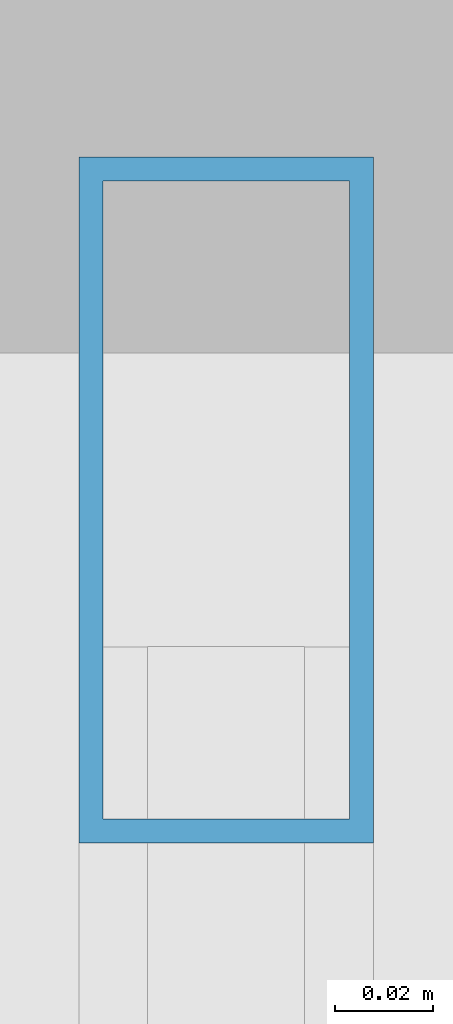
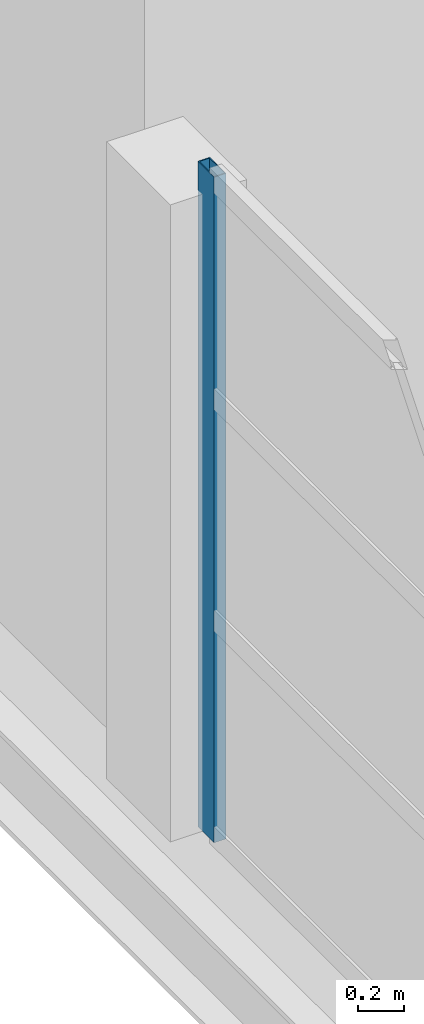
# One storey, part 35 of 158: 1 member, 1 element without a shape of its own.
"""IFC4 building model written with IfcOpenShell, lengths in metres."""

import ifcopenshell
import ifcopenshell.guid

model = None  # the IFC model being written
_history = None  # IfcOwnerHistory: only IFC2X3 demands one
_inside = {}  # id of a spatial element -> (the spatial element, [elements in it])
_under = {}  # id of a project, library or spatial element -> (it, [spatial elements below it])
_declared = {}  # id of a project -> (the project, [libraries it declares])
_typed = {}  # id of a type object -> (the type object, [elements of that type])
_made_of = {}  # id of a material, layer set ... -> (it, [elements and type objects made of it])


def new_model(schema):
    """Start an empty IFC model of exactly this schema.

    Asked for "IFC4X3", IfcOpenShell would pick the latest addendum, in which some entities
    have other attributes; the version numbers below select the first issue.
    IFC2X3 requires an IfcOwnerHistory on every rooted entity: one is made here for all.
    """
    global model, _history
    if schema == "IFC4X3":
        model = ifcopenshell.file(schema_version=(4, 3, 0, 0))
    else:
        model = ifcopenshell.file(schema=schema)
    _inside.clear()
    _under.clear()
    _declared.clear()
    _typed.clear()
    _made_of.clear()
    _history = None
    if model.schema == "IFC2X3":
        org = make("IfcOrganization", Name="unknown")
        user = make(
            "IfcPersonAndOrganization",
            ThePerson=make("IfcPerson", FamilyName="unknown"),
            TheOrganization=org,
        )
        app = make(
            "IfcApplication",
            ApplicationDeveloper=org,
            Version="unknown",
            ApplicationFullName="unknown",
            ApplicationIdentifier="unknown",
        )
        _history = make(
            "IfcOwnerHistory",
            OwningUser=user,
            OwningApplication=app,
            ChangeAction="ADDED",
            CreationDate=0,
        )
    return model


def make(cls, **values):
    """One entity of the class cls with the attributes given. An attribute that is None is left unset."""
    return model.create_entity(
        cls, **{name: value for name, value in values.items() if value is not None}
    )


def rooted(cls, **values):
    """An entity with a GlobalId (a new one), such as an element, a storey or a relation."""
    return make(cls, GlobalId=ifcopenshell.guid.new(), OwnerHistory=_history, **values)


def si_unit(unit_type, name, prefix=None):
    """IfcSIUnit, for example si_unit("LENGTHUNIT", "METRE", prefix="MILLI")."""
    return make("IfcSIUnit", UnitType=unit_type, Prefix=prefix, Name=name)


def assignment(units):
    """IfcUnitAssignment: the units of a project."""
    return None if units is None else make("IfcUnitAssignment", Units=units)


def point(xyz):
    """IfcCartesianPoint."""
    return None if xyz is None else make("IfcCartesianPoint", Coordinates=xyz)


def direction(xyz):
    """IfcDirection."""
    return None if xyz is None else make("IfcDirection", DirectionRatios=xyz)


def frame(location, z_axis=None, x_axis=None):
    """IfcAxis2Placement3D, a coordinate frame: its origin and axes. An axis left out is left unset."""
    return make(
        "IfcAxis2Placement3D",
        Location=point(location),
        Axis=direction(z_axis),
        RefDirection=direction(x_axis),
    )


def frame_2d(location, x_axis=None):
    """IfcAxis2Placement2D, a coordinate frame in the plane: its origin and x axis."""
    return make(
        "IfcAxis2Placement2D", Location=point(location), RefDirection=direction(x_axis)
    )


def origin():
    """The frame at (0, 0, 0) with its axes left unset."""
    return frame((0.0, 0.0, 0.0))


def origin_2d():
    """The frame at (0, 0) in the plane with its x axis left unset."""
    return frame_2d((0.0, 0.0))


def place(relative_to, where):
    """IfcLocalPlacement: puts the frame where relative to a parent placement (None: the world)."""
    return make(
        "IfcLocalPlacement", PlacementRelTo=relative_to, RelativePlacement=where
    )


def context(
    kind, dimensions, precision=None, world=None, true_north=None, identifier=None
):
    """IfcGeometricRepresentationContext, for example the 3D "Model" context."""
    return make(
        "IfcGeometricRepresentationContext",
        ContextIdentifier=identifier,
        ContextType=kind,
        CoordinateSpaceDimension=dimensions,
        Precision=precision,
        WorldCoordinateSystem=world,
        TrueNorth=true_north,
    )


def subcontext(parent, identifier, kind, view, scale=None):
    """IfcGeometricRepresentationSubContext, for example "Body" below "Model"."""
    return make(
        "IfcGeometricRepresentationSubContext",
        ContextIdentifier=identifier,
        ContextType=kind,
        ParentContext=parent,
        TargetScale=scale,
        TargetView=view,
    )


def project(units=None, contexts=None):
    """IfcProject with its units and contexts."""
    return rooted(
        "IfcProject",
        Name="project",
        RepresentationContexts=contexts,
        UnitsInContext=assignment(units),
    )


def spatial(cls, under=None, at=None, **own):
    """A site, building, storey or space (cls), placed at a placement, below another one or the project."""
    s = rooted(cls, ObjectPlacement=at, **own)
    if under is not None:
        _under.setdefault(under.id(), (under, []))[1].append(s)
    return s


def profile(cls, at=None, kind="AREA", **sizes):
    """A parametric profile (cls). Its sizes go by their IFC names, for example OverallWidth=200.0."""
    return make(cls, ProfileType=kind, Position=at, **sizes)


def hollow_rectangle(**sizes):
    """IfcRectangleHollowProfileDef."""
    return profile("IfcRectangleHollowProfileDef", **sizes)


def extrude(swept, where, along, depth):
    """IfcExtrudedAreaSolid: the profile swept, set in the frame where, extruded along a direction by depth."""
    return make(
        "IfcExtrudedAreaSolid",
        SweptArea=swept,
        Position=where,
        ExtrudedDirection=direction(along),
        Depth=depth,
    )


def shape(context_of_items, identifier, shape_type, items):
    """IfcShapeRepresentation: the items that make up one representation, for example the "Body"."""
    return make(
        "IfcShapeRepresentation",
        ContextOfItems=context_of_items,
        RepresentationIdentifier=identifier,
        RepresentationType=shape_type,
        Items=items,
    )


def material(Name=None, Category=None):
    """IfcMaterial."""
    return make("IfcMaterial", Name=Name, Category=Category)


def layer(
    of_material, thickness, ventilated=None, Name=None, Category=None, Priority=None
):
    """IfcMaterialLayer: one layer of a wall or slab, of a material (None: an air gap)."""
    return make(
        "IfcMaterialLayer",
        Material=of_material,
        LayerThickness=thickness,
        IsVentilated=ventilated,
        Name=Name,
        Category=Category,
        Priority=Priority,
    )


def layer_set(layers, Name=None):
    """IfcMaterialLayerSet."""
    return make("IfcMaterialLayerSet", MaterialLayers=layers, LayerSetName=Name)


def material_profile(
    of_material, cross_section, Name=None, Category=None, Priority=None
):
    """IfcMaterialProfile: a cross section and its material."""
    return make(
        "IfcMaterialProfile",
        Name=Name,
        Material=of_material,
        Profile=cross_section,
        Priority=Priority,
        Category=Category,
    )


def profile_set(profiles, Name=None, composite=None):
    """IfcMaterialProfileSet."""
    return make(
        "IfcMaterialProfileSet",
        Name=Name,
        MaterialProfiles=profiles,
        CompositeProfile=composite,
    )


def made_of(thing, what):
    """Note that an element or type object is made of a material, layer set ...; save() writes the relation."""
    if what is not None:
        _made_of.setdefault(what.id(), (what, []))[1].append(thing)
    return thing


def type_object(cls, material=None, **own):
    """A type object (cls), such as IfcWallType, which elements share."""
    return made_of(rooted(cls, **own), material)


def element(
    cls,
    number,
    at=None,
    inside=None,
    cuts=None,
    type_object=None,
    material=None,
    context=None,
    identifier="Body",
    shape_type=None,
    held_by="IfcProductDefinitionShape",
    body=None,
    shapes=None,
    **own,
):
    """One element of the class cls, such as IfcWall. Its Tag is "e" and its number.

    at: its placement. inside: the storey or other place that contains it. cuts: it is an
    opening in that element (IfcRelVoidsElement). A single representation is given by context,
    identifier, shape_type and body (its items); several are given by shapes. held_by: the class
    of the entity that holds the representations. save() writes the other relations.
    """
    e = rooted(cls, Tag="e%d" % number, ObjectPlacement=at, **own)
    if body is not None:
        shapes = [shape(context, identifier, shape_type, body)]
    if shapes is not None:
        e.Representation = make(held_by, Representations=shapes)
    if inside is not None:
        _inside.setdefault(inside.id(), (inside, []))[1].append(e)
    if cuts is not None:
        rooted(
            "IfcRelVoidsElement", RelatingBuildingElement=cuts, RelatedOpeningElement=e
        )
    if type_object is not None:
        _typed.setdefault(type_object.id(), (type_object, []))[1].append(e)
    return made_of(e, material)


def aggregate(whole, parts):
    """IfcRelAggregates: a whole, such as a stair, and the parts it consists of."""
    return rooted("IfcRelAggregates", RelatingObject=whole, RelatedObjects=parts)


def save(model, path):
    """Write the relations noted so far, then the file.

    IfcRelAggregates (storeys below a building ...), IfcRelContainedInSpatialStructure (elements
    in a storey), IfcRelDefinesByType, IfcRelAssociatesMaterial and IfcRelDeclares: one each for
    every whole, place, type object, material and project.
    """
    for whole, parts in _under.values():
        aggregate(whole, parts)
    for where, things in _inside.values():
        rooted(
            "IfcRelContainedInSpatialStructure",
            RelatedElements=things,
            RelatingStructure=where,
        )
    for kind, things in _typed.values():
        rooted("IfcRelDefinesByType", RelatedObjects=things, RelatingType=kind)
    for what, things in _made_of.values():
        rooted("IfcRelAssociatesMaterial", RelatedObjects=things, RelatingMaterial=what)
    for by, libraries in _declared.values():
        rooted("IfcRelDeclares", RelatingContext=by, RelatedDefinitions=libraries)
    model.write(path)


model = new_model("IFC4")

# Units and contexts
model_context = context("Model", 3, precision=1e-05, world=origin(), true_north=direction((0.0, 1.0)))
body_context = subcontext(model_context, "Body", "Model", "MODEL_VIEW")
ifc_project = project(units=[si_unit("LENGTHUNIT", "METRE"), si_unit("AREAUNIT", "SQUARE_METRE"), si_unit("VOLUMEUNIT", "CUBIC_METRE"), si_unit("PLANEANGLEUNIT", "RADIAN"), si_unit("MASSUNIT", "GRAM", prefix="KILO")], contexts=[model_context])

# Site, building, storey
site_placement = place(None, origin())
site = spatial("IfcSite", under=ifc_project, at=site_placement, CompositionType="ELEMENT")
building_placement = place(site_placement, origin())
building = spatial("IfcBuilding", under=site, at=building_placement, Name="Zilviju Railside Exhibition Hall", CompositionType="ELEMENT")
storey_placement = place(building_placement, frame((0.0, 0.0, 4.199951171875)))
storey = spatial("IfcBuildingStorey", under=building, at=storey_placement, Name="L02", CompositionType="ELEMENT", Elevation=4.199951171875)

# Curtain wall, member
ifc_material_1 = material(Name="Thermally broken aluminium-steel triple-glazed curtain wall", Category="steel")
ifc_layer = layer(ifc_material_1, 0.179931640625)
ifc_layer_set = layer_set([ifc_layer], Name="Thermally broken aluminium-steel triple-glazed curtain wall")
curtain_wall_type = type_object("IfcCurtainWallType", Name="CW-BAY-19", PredefinedType="USERDEFINED", material=ifc_layer_set)
curtain_wall_placement = place(storey_placement, origin())
curtain_wall = element("IfcCurtainWall", 1, at=curtain_wall_placement, inside=storey, type_object=curtain_wall_type, Name="Congress Crush Foyer Boulevard Curtain Wall L02 (48..58)", ObjectType="GLAZED CURTAIN WALL", PredefinedType="USERDEFINED")
ifc_material_2 = material(Name="Thermally broken anodized aluminium mullion", Category="aluminium")
ifc_material_profile = material_profile(ifc_material_2, hollow_rectangle(XDim=0.06005859375, YDim=0.139892578125, WallThickness=0.0048828125, at=origin_2d()), Name="MULLION 140x60x5")
ifc_profile_set = profile_set([ifc_material_profile], Name="Thermally broken anodized aluminium mullion")
member_type = type_object("IfcMemberType", Name="CWM-60x140", PredefinedType="MULLION", material=ifc_profile_set)
member_placement = place(storey_placement, frame((0.0, 57.820068359375, 0.0), z_axis=(0.0, 0.0, 1.0), x_axis=(-1.0, 0.0, 0.0)))
member = element("IfcMember", 2, at=member_placement, type_object=member_type, Name="CW-19 mullion 5", PredefinedType="MULLION", context=body_context, shape_type="SweptSolid", body=[
    extrude(hollow_rectangle(XDim=0.06005859375, YDim=0.139892578125, WallThickness=0.0048828125, at=origin_2d()), origin(), (0.0, 0.0, 1.0), 3.5),
])
aggregate(curtain_wall, [member])

save(model, "model.ifc")
